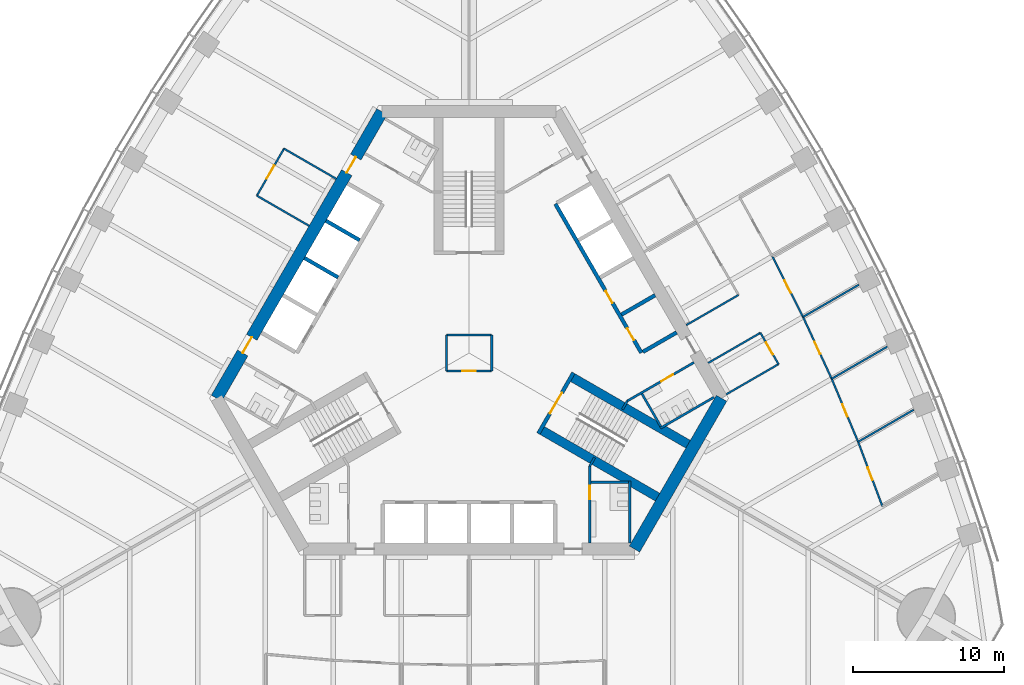
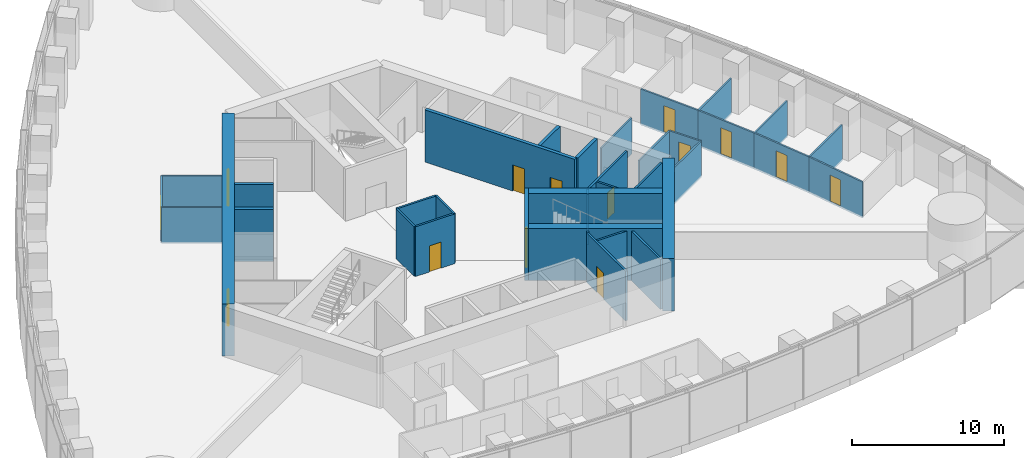
# One storey, part 13 of 19: 36 walls, 14 doors, 14 openings.
"""IFC4 building model written with IfcOpenShell, lengths in metres."""

from ifc_helpers import new_model, si_unit, direction, frame, frame_2d, origin, place, context, subcontext, project, spatial, rectangle, extrude, material, layer, layer_set, type_object, element, fill, save


model = new_model("IFC4")

# Units and contexts
model_context = context("Model", 3, precision=1e-05, world=origin(), true_north=direction((0.0, 1.0)))
body_context = subcontext(model_context, "Body", "Model", "MODEL_VIEW")
ifc_project = project(units=[si_unit("LENGTHUNIT", "METRE"), si_unit("AREAUNIT", "SQUARE_METRE"), si_unit("VOLUMEUNIT", "CUBIC_METRE"), si_unit("PLANEANGLEUNIT", "RADIAN"), si_unit("MASSUNIT", "GRAM", prefix="KILO")], contexts=[model_context])

# Site, building, storey
site_placement = place(None, origin())
site = spatial("IfcSite", under=ifc_project, at=site_placement, CompositionType="ELEMENT")
building_placement = place(site_placement, origin())
building = spatial("IfcBuilding", under=site, at=building_placement, Name="Trefoil Bronze Tower", CompositionType="ELEMENT")
storey_placement = place(building_placement, frame((0.0, 0.0, 124.10009765625)))
storey = spatial("IfcBuildingStorey", under=building, at=storey_placement, Name="L28", CompositionType="ELEMENT", Elevation=124.10009765625)

# Wall
ifc_material_1 = material(Name="Concrete B80", Category="concrete")
ifc_layer_1 = layer(ifc_material_1, 0.800048828125)
ifc_layer_set_1 = layer_set([ifc_layer_1], Name="Core wall 800")
wall_type_1 = type_object("IfcWallType", Name="Core wall 800", PredefinedType="SHEAR", material=ifc_layer_set_1)
wall_1_placement = place(storey_placement, frame((10.9697265625, -13.0, 0.0), z_axis=(0.0, 0.0, 1.0), x_axis=(0.499995765644, 0.866027848477, 0.0)))
element("IfcWall", 1, at=wall_1_placement, inside=storey, type_object=wall_type_1, Name="Core short wall 1 L28", PredefinedType="SHEAR", context=body_context, shape_type="SweptSolid", body=[
    extrude(rectangle(XDim=11.546875, YDim=0.800048828125, at=frame_2d((5.7734375, 0.0))), origin(), (0.0, 0.0, 1.0), 4.199951171875),
])

# Wall, openings, doors
wall_2_placement = place(storey_placement, frame((-5.7734375, 16.0, 0.0), z_axis=(0.0, 0.0, 1.0), x_axis=(-0.500002442456, -0.866023993627, 0.0)))
wall_2 = element("IfcWall", 2, at=wall_2_placement, inside=storey, type_object=wall_type_1, Name="Core long wall 3 L28", PredefinedType="SHEAR", context=body_context, shape_type="SweptSolid", body=[
    extrude(rectangle(XDim=21.939453125, YDim=0.800048828125, at=frame_2d((10.9697265625, 0.0))), origin(), (0.0, 0.0, 1.0), 4.199951171875),
])
opening_1_placement = place(wall_2_placement, frame((17.269775390625, 0.0, 0.0)))
opening_1 = element("IfcOpeningElement", 3, at=opening_1_placement, cuts=wall_2, Name="Opening D2", PredefinedType="OPENING", context=body_context, shape_type="SweptSolid", body=[
    extrude(rectangle(XDim=1.199951171875, YDim=2.10009765625, at=frame_2d((0.60009765625, 1.050048828125))), frame((0.0, 0.409912109375, 0.0), z_axis=(0.0, -1.0, 0.0), x_axis=(1.0, 0.0, 0.0)), (0.0, 0.0, 1.0), 0.820068359375),
])
opening_2_placement = place(wall_2_placement, frame((3.4697265625, 0.0, 0.0)))
opening_2 = element("IfcOpeningElement", 4, at=opening_2_placement, cuts=wall_2, Name="Opening D2", PredefinedType="OPENING", context=body_context, shape_type="SweptSolid", body=[
    extrude(rectangle(XDim=1.199951171875, YDim=2.10009765625, at=frame_2d((0.60009765625, 1.050048828125))), frame((0.0, 0.409912109375, 0.0), z_axis=(0.0, -1.0, 0.0), x_axis=(1.0, 0.0, 0.0)), (0.0, 0.0, 1.0), 0.820068359375),
])
ifc_material_2 = material(Name="Steel door", Category="steel")
door_type_1 = type_object("IfcDoorType", Name="Lobby door 1200", OperationType="SINGLE_SWING_RIGHT", PredefinedType="DOOR", material=ifc_material_2)
door_1_placement = place(opening_1_placement, origin())
door_1 = element("IfcDoor", 5, at=door_1_placement, inside=storey, type_object=door_type_1, Name="Lobby door F3+ L28", OperationType="SINGLE_SWING_RIGHT", OverallHeight=2.10009765625, OverallWidth=1.199951171875, PredefinedType="DOOR", context=body_context, shape_type="SweptSolid", body=[
    extrude(rectangle(XDim=1.199951171875, YDim=2.10009765625, at=frame_2d((0.60009765625, 1.050048828125))), frame((0.0, 0.02490234375, 0.0), z_axis=(0.0, -1.0, 0.0), x_axis=(1.0, 0.0, 0.0)), (0.0, 0.0, 1.0), 0.050048828125),
])
fill(opening_1, door_1)
door_2_placement = place(opening_2_placement, origin())
door_2 = element("IfcDoor", 6, at=door_2_placement, inside=storey, type_object=door_type_1, Name="Lobby door F3- L28", OperationType="SINGLE_SWING_LEFT", OverallHeight=2.10009765625, OverallWidth=1.199951171875, PredefinedType="DOOR", context=body_context, shape_type="SweptSolid", body=[
    extrude(rectangle(XDim=1.199951171875, YDim=2.10009765625, at=frame_2d((0.60009765625, 1.050048828125))), frame((0.0, 0.02490234375, 0.0), z_axis=(0.0, -1.0, 0.0), x_axis=(1.0, 0.0, 0.0)), (0.0, 0.0, 1.0), 0.050048828125),
])
fill(opening_2, door_2)

# Wall, opening, door
ifc_material_3 = material(Name="Glazed partition", Category="glass")
ifc_layer_2 = layer(ifc_material_3, 0.1201171875)
ifc_layer_set_2 = layer_set([ifc_layer_2], Name="Glazed partition 120")
wall_type_2 = type_object("IfcWallType", Name="Glazed partition 120", PredefinedType="PARTITIONING", material=ifc_layer_set_2)
wall_3_placement = place(storey_placement, frame((20.518798828125, -0.73974609375, 0.0), z_axis=(0.0, 0.0, 1.0), x_axis=(-0.499957262057, 0.866050077142, 0.0)))
wall_3 = element("IfcWall", 7, at=wall_3_placement, inside=storey, type_object=wall_type_2, Name="Partition F2 L28", PredefinedType="PARTITIONING", context=body_context, shape_type="SweptSolid", body=[
    extrude(rectangle(XDim=2.400146484375, YDim=0.1201171875, at=frame_2d((1.2001953125, 0.0))), origin(), (0.0, 0.0, 1.0), 2.89990234375),
])
opening_3_placement = place(wall_3_placement, frame((0.75, 0.0, 0.14990234375)))
opening_3 = element("IfcOpeningElement", 8, at=opening_3_placement, cuts=wall_3, Name="Opening D8", PredefinedType="OPENING", context=body_context, shape_type="SweptSolid", body=[
    extrude(rectangle(XDim=0.89990234375, YDim=2.10009765625, at=frame_2d((0.449951171875, 1.050048828125))), frame((0.0, 0.070068359375, 0.0), z_axis=(0.0, -1.0, 0.0), x_axis=(1.0, 0.0, 0.0)), (0.0, 0.0, 1.0), 0.14013671875),
])
ifc_material_4 = material(Name="Timber door", Category="wood")
door_type_2 = type_object("IfcDoorType", Name="Office door 900", OperationType="SINGLE_SWING_LEFT", PredefinedType="DOOR", material=ifc_material_4)
door_3_placement = place(opening_3_placement, origin())
door_3 = element("IfcDoor", 9, at=door_3_placement, inside=storey, type_object=door_type_2, Name="Comms room door F2 L28", OperationType="SINGLE_SWING_RIGHT", OverallHeight=2.10009765625, OverallWidth=0.89990234375, PredefinedType="DOOR", context=body_context, shape_type="SweptSolid", body=[
    extrude(rectangle(XDim=0.89990234375, YDim=2.10009765625, at=frame_2d((0.449951171875, 1.050048828125))), frame((0.0, 0.02490234375, 0.0), z_axis=(0.0, -1.0, 0.0), x_axis=(1.0, 0.0, 0.0)), (0.0, 0.0, 1.0), 0.050048828125),
])
fill(opening_3, door_3)

# Walls
for number, where, z_axis, x_axis, name in (
    (10, (17.0546875, -2.73974609375, 0.0), (0.0, 0.0, 1.0), (0.866026010844, 0.49999894854, 0.0), "Partition F2 L28"),
    (11, (14.40478515625, 1.850341796875, 0.0), (0.0, 0.0, 1.0), (0.866026010844, 0.49999894854, 0.0), "Partition F2 L28"),
    (12, (15.854736328125, -0.6611328125, 0.0), (0.0, 0.0, 1.0), (0.866026010844, 0.49999894854, 0.0), "Partition F2 L28"),
):
    element("IfcWall", number, at=place(storey_placement, frame(where, z_axis=z_axis, x_axis=x_axis)), inside=storey, type_object=wall_type_2, Name=name, PredefinedType="PARTITIONING", context=body_context, shape_type="SweptSolid", body=[
        extrude(rectangle(XDim=4.0, YDim=0.1201171875, at=frame_2d((2.0, 0.0))), origin(), (0.0, 0.0, 1.0), 2.89990234375),
    ])

# Wall, opening, door
wall_4_placement = place(storey_placement, frame((24.042724609375, -1.70751953125, 0.0), z_axis=(0.0, 0.0, 1.0), x_axis=(-0.41992827805, 0.90755729367, 0.0)))
wall_4 = element("IfcWall", 13, at=wall_4_placement, inside=storey, type_object=wall_type_2, Name="Partition F2 L28", PredefinedType="PARTITIONING", context=body_context, shape_type="SweptSolid", body=[
    extrude(rectangle(XDim=4.5185546875, YDim=0.1201171875, at=frame_2d((2.25927734375, 0.0))), origin(), (0.0, 0.0, 1.0), 2.89990234375),
])
opening_4_placement = place(wall_4_placement, frame((1.800048828125, 0.0, 0.14990234375)))
opening_4 = element("IfcOpeningElement", 14, at=opening_4_placement, cuts=wall_4, Name="Opening D8", PredefinedType="OPENING", context=body_context, shape_type="SweptSolid", body=[
    extrude(rectangle(XDim=0.89990234375, YDim=2.10009765625, at=frame_2d((0.449951171875, 1.050048828125))), frame((0.0, 0.070068359375, 0.0), z_axis=(0.0, -1.0, 0.0), x_axis=(1.0, 0.0, 0.0)), (0.0, 0.0, 1.0), 0.14013671875),
])
door_4_placement = place(opening_4_placement, frame((0.89990234375, 0.0, 0.0), z_axis=(0.0, 0.0, 1.0), x_axis=(-1.0, 0.0, 0.0)))
door_4 = element("IfcDoor", 15, at=door_4_placement, inside=storey, type_object=door_type_2, Name="Office door F2 L28", OperationType="SINGLE_SWING_RIGHT", OverallHeight=2.10009765625, OverallWidth=0.89990234375, PredefinedType="DOOR", context=body_context, shape_type="SweptSolid", body=[
    extrude(rectangle(XDim=0.89990234375, YDim=2.10009765625, at=frame_2d((0.449951171875, 1.050048828125))), frame((0.0, 0.02490234375, 0.0), z_axis=(0.0, -1.0, 0.0), x_axis=(1.0, 0.0, 0.0)), (0.0, 0.0, 1.0), 0.050048828125),
])
fill(opening_4, door_4)

wall_5_placement = place(storey_placement, frame((25.797119140625, -5.890625, 0.0), z_axis=(0.0, 0.0, 1.0), x_axis=(-0.386762112496, 0.922179520667, 0.0)))
wall_5 = element("IfcWall", 16, at=wall_5_placement, inside=storey, type_object=wall_type_2, Name="Partition F2 L28", PredefinedType="PARTITIONING", context=body_context, shape_type="SweptSolid", body=[
    extrude(rectangle(XDim=4.5361328125, YDim=0.1201171875, at=frame_2d((2.26806640625, 0.0))), origin(), (0.0, 0.0, 1.0), 2.89990234375),
])
opening_5_placement = place(wall_5_placement, frame((1.800048828125, 0.0, 0.14990234375)))
opening_5 = element("IfcOpeningElement", 17, at=opening_5_placement, cuts=wall_5, Name="Opening D8", PredefinedType="OPENING", context=body_context, shape_type="SweptSolid", body=[
    extrude(rectangle(XDim=0.89990234375, YDim=2.10009765625, at=frame_2d((0.449951171875, 1.050048828125))), frame((0.0, 0.070068359375, 0.0), z_axis=(0.0, -1.0, 0.0), x_axis=(1.0, 0.0, 0.0)), (0.0, 0.0, 1.0), 0.14013671875),
])
door_5_placement = place(opening_5_placement, frame((0.89990234375, 0.0, 0.0), z_axis=(0.0, 0.0, 1.0), x_axis=(-1.0, 0.0, 0.0)))
door_5 = element("IfcDoor", 18, at=door_5_placement, inside=storey, type_object=door_type_2, Name="Office door F2 L28", OperationType="SINGLE_SWING_RIGHT", OverallHeight=2.10009765625, OverallWidth=0.89990234375, PredefinedType="DOOR", context=body_context, shape_type="SweptSolid", body=[
    extrude(rectangle(XDim=0.89990234375, YDim=2.10009765625, at=frame_2d((0.449951171875, 1.050048828125))), frame((0.0, 0.02490234375, 0.0), z_axis=(0.0, -1.0, 0.0), x_axis=(1.0, 0.0, 0.0)), (0.0, 0.0, 1.0), 0.050048828125),
])
fill(opening_5, door_5)

wall_6_placement = place(storey_placement, frame((27.406494140625, -10.15771484375, 0.0), z_axis=(0.0, 0.0, 1.0), x_axis=(-0.352894560512, 0.93566309597, 0.0)))
wall_6 = element("IfcWall", 19, at=wall_6_placement, inside=storey, type_object=wall_type_2, Name="Partition F2 L28", PredefinedType="PARTITIONING", context=body_context, shape_type="SweptSolid", body=[
    extrude(rectangle(XDim=4.560546875, YDim=0.1201171875, at=frame_2d((2.2802734375, 0.0))), origin(), (0.0, 0.0, 1.0), 2.89990234375),
])
opening_6_placement = place(wall_6_placement, frame((1.85009765625, 0.0, 0.14990234375)))
opening_6 = element("IfcOpeningElement", 20, at=opening_6_placement, cuts=wall_6, Name="Opening D8", PredefinedType="OPENING", context=body_context, shape_type="SweptSolid", body=[
    extrude(rectangle(XDim=0.89990234375, YDim=2.10009765625, at=frame_2d((0.449951171875, 1.050048828125))), frame((0.0, 0.070068359375, 0.0), z_axis=(0.0, -1.0, 0.0), x_axis=(1.0, 0.0, 0.0)), (0.0, 0.0, 1.0), 0.14013671875),
])
door_6_placement = place(opening_6_placement, frame((0.89990234375, 0.0, 0.0), z_axis=(0.0, 0.0, 1.0), x_axis=(-1.0, 0.0, 0.0)))
door_6 = element("IfcDoor", 21, at=door_6_placement, inside=storey, type_object=door_type_2, Name="Office door F2 L28", OperationType="SINGLE_SWING_LEFT", OverallHeight=2.10009765625, OverallWidth=0.89990234375, PredefinedType="DOOR", context=body_context, shape_type="SweptSolid", body=[
    extrude(rectangle(XDim=0.89990234375, YDim=2.10009765625, at=frame_2d((0.449951171875, 1.050048828125))), frame((0.0, 0.02490234375, 0.0), z_axis=(0.0, -1.0, 0.0), x_axis=(1.0, 0.0, 0.0)), (0.0, 0.0, 1.0), 0.050048828125),
])
fill(opening_6, door_6)

wall_7_placement = place(storey_placement, frame((22.145263671875, 2.393310546875, 0.0), z_axis=(0.0, 0.0, 1.0), x_axis=(-0.452471679136, 0.891778772779, 0.0)))
wall_7 = element("IfcWall", 22, at=wall_7_placement, inside=storey, type_object=wall_type_2, Name="Partition F2 L28", PredefinedType="PARTITIONING", context=body_context, shape_type="SweptSolid", body=[
    extrude(rectangle(XDim=4.506591796875, YDim=0.1201171875, at=frame_2d((2.25341796875, 0.0))), origin(), (0.0, 0.0, 1.0), 2.89990234375),
])
opening_7_placement = place(wall_7_placement, frame((1.800048828125, 0.0, 0.14990234375)))
opening_7 = element("IfcOpeningElement", 23, at=opening_7_placement, cuts=wall_7, Name="Opening D8", PredefinedType="OPENING", context=body_context, shape_type="SweptSolid", body=[
    extrude(rectangle(XDim=0.89990234375, YDim=2.10009765625, at=frame_2d((0.449951171875, 1.050048828125))), frame((0.0, 0.070068359375, 0.0), z_axis=(0.0, -1.0, 0.0), x_axis=(1.0, 0.0, 0.0)), (0.0, 0.0, 1.0), 0.14013671875),
])
door_7_placement = place(opening_7_placement, frame((0.89990234375, 0.0, 0.0), z_axis=(0.0, 0.0, 1.0), x_axis=(-1.0, 0.0, 0.0)))
door_7 = element("IfcDoor", 24, at=door_7_placement, inside=storey, type_object=door_type_2, Name="Office door F2 L28", OperationType="SINGLE_SWING_RIGHT", OverallHeight=2.10009765625, OverallWidth=0.89990234375, PredefinedType="DOOR", context=body_context, shape_type="SweptSolid", body=[
    extrude(rectangle(XDim=0.89990234375, YDim=2.10009765625, at=frame_2d((0.449951171875, 1.050048828125))), frame((0.0, 0.02490234375, 0.0), z_axis=(0.0, -1.0, 0.0), x_axis=(1.0, 0.0, 0.0)), (0.0, 0.0, 1.0), 0.050048828125),
])
fill(opening_7, door_7)

# Walls
wall_8_placement = place(storey_placement, frame((24.042724609375, -1.70751953125, 0.0), z_axis=(0.0, 0.0, 1.0), x_axis=(0.866006218662, 0.500033228135, 0.0)))
element("IfcWall", 25, at=wall_8_placement, inside=storey, type_object=wall_type_2, Name="Partition F2 L28", PredefinedType="PARTITIONING", context=body_context, shape_type="SweptSolid", body=[
    extrude(rectangle(XDim=4.261474609375, YDim=0.1201171875, at=frame_2d((2.130859375, 0.0))), origin(), (0.0, 0.0, 1.0), 2.89990234375),
])
wall_9_placement = place(storey_placement, frame((25.797119140625, -5.890625, 0.0), z_axis=(0.0, 0.0, 1.0), x_axis=(0.866020257797, 0.500008913007, 0.0)))
element("IfcWall", 26, at=wall_9_placement, inside=storey, type_object=wall_type_2, Name="Partition F2 L28", PredefinedType="PARTITIONING", context=body_context, shape_type="SweptSolid", body=[
    extrude(rectangle(XDim=4.25439453125, YDim=0.1201171875, at=frame_2d((2.127197265625, 0.0))), origin(), (0.0, 0.0, 1.0), 2.89990234375),
])
wall_10_placement = place(storey_placement, frame((22.145263671875, 2.393310546875, 0.0), z_axis=(0.0, 0.0, 1.0), x_axis=(0.86602643523, 0.49999821348, 0.0)))
element("IfcWall", 27, at=wall_10_placement, inside=storey, type_object=wall_type_2, Name="Partition F2 L28", PredefinedType="PARTITIONING", context=body_context, shape_type="SweptSolid", body=[
    extrude(rectangle(XDim=4.26611328125, YDim=0.1201171875, at=frame_2d((2.133056640625, 0.0))), origin(), (0.0, 0.0, 1.0), 2.89990234375),
])

# Wall, opening, door
wall_11_placement = place(storey_placement, frame((-12.268798828125, 13.5498046875, 0.0), z_axis=(0.0, 0.0, 1.0), x_axis=(-0.500012057535, -0.866018442252, 0.0)))
wall_11 = element("IfcWall", 28, at=wall_11_placement, inside=storey, type_object=wall_type_2, Name="Partition F3 L28", PredefinedType="PARTITIONING", context=body_context, shape_type="SweptSolid", body=[
    extrude(rectangle(XDim=3.60009765625, YDim=0.1201171875, at=frame_2d((1.800048828125, 0.0))), origin(), (0.0, 0.0, 1.0), 2.89990234375),
])
opening_8_placement = place(wall_11_placement, frame((1.300048828125, 0.0, 0.14990234375)))
opening_8 = element("IfcOpeningElement", 29, at=opening_8_placement, cuts=wall_11, Name="Opening D9", PredefinedType="OPENING", context=body_context, shape_type="SweptSolid", body=[
    extrude(rectangle(XDim=1.0, YDim=2.10009765625, at=frame_2d((0.5, 1.050048828125))), frame((0.0, 0.070068359375, 0.0), z_axis=(0.0, -1.0, 0.0), x_axis=(1.0, 0.0, 0.0)), (0.0, 0.0, 1.0), 0.14013671875),
])
ifc_material_5 = material(Name="Glazed timber door", Category="wood")
door_type_3 = type_object("IfcDoorType", Name="Meeting room door 1000", OperationType="SINGLE_SWING_LEFT", PredefinedType="DOOR", material=ifc_material_5)
door_8_placement = place(opening_8_placement, origin())
door_8 = element("IfcDoor", 30, at=door_8_placement, inside=storey, type_object=door_type_3, Name="Meeting room door F3 L28", OperationType="SINGLE_SWING_RIGHT", OverallHeight=2.10009765625, OverallWidth=1.0, PredefinedType="DOOR", context=body_context, shape_type="SweptSolid", body=[
    extrude(rectangle(XDim=1.0, YDim=2.10009765625, at=frame_2d((0.5, 1.050048828125))), frame((0.0, 0.02490234375, 0.0), z_axis=(0.0, -1.0, 0.0), x_axis=(1.0, 0.0, 0.0)), (0.0, 0.0, 1.0), 0.050048828125),
])
fill(opening_8, door_8)

# Walls
for number, where, z_axis, x_axis, name in (
    (31, (-10.604736328125, 8.43212890625, 0.0), (0.0, 0.0, 1.0), (-0.866026010844, 0.49999894854, 0.0), "Partition F3 L28"),
    (32, (-8.8046875, 11.5498046875, 0.0), (0.0, 0.0, 1.0), (-0.866026010844, 0.49999894854, 0.0), "Partition F3 L28"),
):
    element("IfcWall", number, at=place(storey_placement, frame(where, z_axis=z_axis, x_axis=x_axis)), inside=storey, type_object=wall_type_2, Name=name, PredefinedType="PARTITIONING", context=body_context, shape_type="SweptSolid", body=[
        extrude(rectangle(XDim=4.0, YDim=0.1201171875, at=frame_2d((2.0, 0.0))), origin(), (0.0, 0.0, 1.0), 2.89990234375),
    ])

# Wall, opening, door
ifc_material_6 = material(Name="Gypsum board on steel studs", Category="steel")
ifc_layer_3 = layer(ifc_material_6, 0.14990234375)
ifc_layer_set_3 = layer_set([ifc_layer_3], Name="Partition 150")
wall_type_3 = type_object("IfcWallType", Name="Partition 150", PredefinedType="PARTITIONING", material=ifc_layer_set_3)
wall_12_placement = place(storey_placement, frame((8.0, -7.5, 0.0), z_axis=(0.0, 0.0, 1.0), x_axis=(0.0, -1.0, 0.0)))
wall_12 = element("IfcWall", 33, at=wall_12_placement, inside=storey, type_object=wall_type_3, Name="Passage wall F1+ L28", PredefinedType="PARTITIONING", context=body_context, shape_type="SweptSolid", body=[
    extrude(rectangle(XDim=5.10009765625, YDim=0.14990234375, at=frame_2d((2.550048828125, 0.0))), origin(), (0.0, 0.0, 1.0), 4.0),
])
opening_9_placement = place(wall_12_placement, frame((1.300048828125, 0.0, 0.0)))
opening_9 = element("IfcOpeningElement", 34, at=opening_9_placement, cuts=wall_12, Name="Opening D3", PredefinedType="OPENING", context=body_context, shape_type="SweptSolid", body=[
    extrude(rectangle(XDim=0.89990234375, YDim=2.10009765625, at=frame_2d((0.449951171875, 1.050048828125))), frame((0.0, 0.0849609375, 0.0), z_axis=(0.0, -1.0, 0.0), x_axis=(1.0, 0.0, 0.0)), (0.0, 0.0, 1.0), 0.169921875),
])
ifc_material_7 = material(Name="Timber door", Category="wood")
door_type_4 = type_object("IfcDoorType", Name="WC door 900", OperationType="SINGLE_SWING_LEFT", PredefinedType="DOOR", material=ifc_material_7)
door_9_placement = place(opening_9_placement, origin())
door_9 = element("IfcDoor", 35, at=door_9_placement, inside=storey, type_object=door_type_4, Name="WC (men) door L28", OperationType="SINGLE_SWING_LEFT", OverallHeight=2.10009765625, OverallWidth=0.89990234375, PredefinedType="DOOR", context=body_context, shape_type="SweptSolid", body=[
    extrude(rectangle(XDim=0.89990234375, YDim=2.10009765625, at=frame_2d((0.449951171875, 1.050048828125))), frame((0.0, 0.02490234375, 0.0), z_axis=(0.0, -1.0, 0.0), x_axis=(1.0, 0.0, 0.0)), (0.0, 0.0, 1.0), 0.050048828125),
])
fill(opening_9, door_9)

wall_13_placement = place(storey_placement, frame((10.4951171875, -3.17822265625, 0.0), z_axis=(0.0, 0.0, 1.0), x_axis=(0.86602216432, 0.500005610874, 0.0)))
wall_13 = element("IfcWall", 36, at=wall_13_placement, inside=storey, type_object=wall_type_3, Name="Passage wall F2- L28", PredefinedType="PARTITIONING", context=body_context, shape_type="SweptSolid", body=[
    extrude(rectangle(XDim=5.10009765625, YDim=0.14990234375, at=frame_2d((2.550048828125, 0.0))), origin(), (0.0, 0.0, 1.0), 4.0),
])
opening_10_placement = place(wall_13_placement, frame((2.60009765625, 0.0, 0.0)))
opening_10 = element("IfcOpeningElement", 37, at=opening_10_placement, cuts=wall_13, Name="Opening D3", PredefinedType="OPENING", context=body_context, shape_type="SweptSolid", body=[
    extrude(rectangle(XDim=0.89990234375, YDim=2.10009765625, at=frame_2d((0.449951171875, 1.050048828125))), frame((0.0, 0.0849609375, 0.0), z_axis=(0.0, -1.0, 0.0), x_axis=(1.0, 0.0, 0.0)), (0.0, 0.0, 1.0), 0.169921875),
])
door_10_placement = place(opening_10_placement, frame((0.89990234375, 0.0, 0.0), z_axis=(0.0, 0.0, 1.0), x_axis=(-1.0, 0.0, 0.0)))
door_10 = element("IfcDoor", 38, at=door_10_placement, inside=storey, type_object=door_type_4, Name="WC (women) door L28", OperationType="SINGLE_SWING_RIGHT", OverallHeight=2.10009765625, OverallWidth=0.89990234375, PredefinedType="DOOR", context=body_context, shape_type="SweptSolid", body=[
    extrude(rectangle(XDim=0.89990234375, YDim=2.10009765625, at=frame_2d((0.449951171875, 1.050048828125))), frame((0.0, 0.02490234375, 0.0), z_axis=(0.0, -1.0, 0.0), x_axis=(1.0, 0.0, 0.0)), (0.0, 0.0, 1.0), 0.050048828125),
])
fill(opening_10, door_10)

# Walls
for number, where, z_axis, x_axis, name in (
    (39, (8.0, -7.5, 0.0), (0.0, 0.0, 1.0), (0.499842556608, 0.866116284689, 0.0), "WC wall ST1-1 L28"),
    (40, (10.4951171875, -3.17822265625, 0.0), (0.0, 0.0, 1.0), (-0.499842556608, -0.866116284689, 0.0), "WC wall ST1+1 L28"),
):
    element("IfcWall", number, at=place(storey_placement, frame(where, z_axis=z_axis, x_axis=x_axis)), inside=storey, type_object=wall_type_3, Name=name, PredefinedType="PARTITIONING", context=body_context, shape_type="SweptSolid", body=[
        extrude(rectangle(XDim=0.645263671875, YDim=0.14990234375, at=frame_2d((0.32275390625, 0.0))), origin(), (0.0, 0.0, 1.0), 4.0),
    ])
wall_14_placement = place(storey_placement, frame((10.659912109375, -8.5, 0.0), z_axis=(0.0, 0.0, 1.0), x_axis=(0.0, -1.0, 0.0)))
element("IfcWall", 41, at=wall_14_placement, inside=storey, type_object=wall_type_3, Name="WC partition WC (men) L28", PredefinedType="PARTITIONING", context=body_context, shape_type="SweptSolid", body=[
    extrude(rectangle(XDim=4.10009765625, YDim=0.14990234375, at=frame_2d((2.050048828125, 0.0))), origin(), (0.0, 0.0, 1.0), 4.0),
])
wall_15_placement = place(storey_placement, frame((8.074951171875, -8.574951171875, 0.0), z_axis=(0.0, 0.0, 1.0), x_axis=(1.0, 0.0, 0.0)))
element("IfcWall", 42, at=wall_15_placement, inside=storey, type_object=wall_type_3, Name="WC partition WC (men) L28", PredefinedType="PARTITIONING", context=body_context, shape_type="SweptSolid", body=[
    extrude(rectangle(XDim=2.510009765625, YDim=0.14990234375, at=frame_2d((1.2548828125, 0.0))), origin(), (0.0, 0.0, 1.0), 4.0),
])
wall_16_placement = place(storey_placement, frame((12.691162109375, -4.98193359375, 0.0), z_axis=(0.0, 0.0, 1.0), x_axis=(0.8660249478, 0.500000789788, 0.0)))
element("IfcWall", 43, at=wall_16_placement, inside=storey, type_object=wall_type_3, Name="WC partition WC (women) L28", PredefinedType="PARTITIONING", context=body_context, shape_type="SweptSolid", body=[
    extrude(rectangle(XDim=4.10009765625, YDim=0.14990234375, at=frame_2d((2.050048828125, 0.0))), origin(), (0.0, 0.0, 1.0), 4.0),
])
wall_17_placement = place(storey_placement, frame((11.463623046875, -2.70556640625, 0.0), z_axis=(0.0, 0.0, 1.0), x_axis=(0.50001992892, -0.866013897511, 0.0)))
element("IfcWall", 44, at=wall_17_placement, inside=storey, type_object=wall_type_3, Name="WC partition WC (women) L28", PredefinedType="PARTITIONING", context=body_context, shape_type="SweptSolid", body=[
    extrude(rectangle(XDim=2.51025390625, YDim=0.14990234375, at=frame_2d((1.255126953125, 0.0))), origin(), (0.0, 0.0, 1.0), 4.0),
])

# Wall, opening, door
ifc_material_8 = material(Name="Gypsum board on steel studs", Category="steel")
ifc_layer_4 = layer(ifc_material_8, 0.14990234375)
ifc_layer_set_4 = layer_set([ifc_layer_4], Name="Riser wall 150")
wall_type_4 = type_object("IfcWallType", Name="Riser wall 150", PredefinedType="PARTITIONING", material=ifc_layer_set_4)
wall_18_placement = place(storey_placement, frame((-1.5, -1.199951171875, 0.0), z_axis=(0.0, 0.0, 1.0), x_axis=(1.0, 0.0, 0.0)))
wall_18 = element("IfcWall", 45, at=wall_18_placement, inside=storey, type_object=wall_type_4, Name="Riser wall L28", PredefinedType="PARTITIONING", context=body_context, shape_type="SweptSolid", body=[
    extrude(rectangle(XDim=3.0, YDim=0.14990234375, at=frame_2d((1.5, 0.0))), origin(), (0.0, 0.0, 1.0), 4.0),
])
opening_11_placement = place(wall_18_placement, frame((1.050048828125, 0.0, 0.0)))
opening_11 = element("IfcOpeningElement", 46, at=opening_11_placement, cuts=wall_18, Name="Opening D4", PredefinedType="OPENING", context=body_context, shape_type="SweptSolid", body=[
    extrude(rectangle(XDim=0.89990234375, YDim=2.10009765625, at=frame_2d((0.449951171875, 1.050048828125))), frame((0.0, 0.0849609375, 0.0), z_axis=(0.0, -1.0, 0.0), x_axis=(1.0, 0.0, 0.0)), (0.0, 0.0, 1.0), 0.169921875),
])
ifc_material_9 = material(Name="Steel door", Category="steel")
door_type_5 = type_object("IfcDoorType", Name="Riser door 900", OperationType="SINGLE_SWING_LEFT", PredefinedType="DOOR", material=ifc_material_9)
door_11_placement = place(opening_11_placement, frame((0.89990234375, 0.0, 0.0), z_axis=(0.0, 0.0, 1.0), x_axis=(-1.0, 0.0, 0.0)))
door_11 = element("IfcDoor", 47, at=door_11_placement, inside=storey, type_object=door_type_5, Name="Riser door L28", OperationType="SINGLE_SWING_LEFT", OverallHeight=2.10009765625, OverallWidth=0.89990234375, PredefinedType="DOOR", context=body_context, shape_type="SweptSolid", body=[
    extrude(rectangle(XDim=0.89990234375, YDim=2.10009765625, at=frame_2d((0.449951171875, 1.050048828125))), frame((0.0, 0.02490234375, 0.0), z_axis=(0.0, -1.0, 0.0), x_axis=(1.0, 0.0, 0.0)), (0.0, 0.0, 1.0), 0.050048828125),
])
fill(opening_11, door_11)

# Walls
wall_19_placement = place(storey_placement, frame((1.5, -1.199951171875, 0.0), z_axis=(0.0, 0.0, 1.0), x_axis=(0.0, 1.0, 0.0)))
element("IfcWall", 48, at=wall_19_placement, inside=storey, type_object=wall_type_4, Name="Riser wall L28", PredefinedType="PARTITIONING", context=body_context, shape_type="SweptSolid", body=[
    extrude(rectangle(XDim=2.39990234375, YDim=0.14990234375, at=frame_2d((1.199951171875, 0.0))), origin(), (0.0, 0.0, 1.0), 4.0),
])
wall_20_placement = place(storey_placement, frame((1.5, 1.199951171875, 0.0), z_axis=(0.0, 0.0, 1.0), x_axis=(-1.0, 0.0, 0.0)))
element("IfcWall", 49, at=wall_20_placement, inside=storey, type_object=wall_type_4, Name="Riser wall L28", PredefinedType="PARTITIONING", context=body_context, shape_type="SweptSolid", body=[
    extrude(rectangle(XDim=3.0, YDim=0.14990234375, at=frame_2d((1.5, 0.0))), origin(), (0.0, 0.0, 1.0), 4.0),
])
wall_21_placement = place(storey_placement, frame((-1.5, 1.199951171875, 0.0), z_axis=(0.0, 0.0, 1.0), x_axis=(0.0, -1.0, 0.0)))
element("IfcWall", 50, at=wall_21_placement, inside=storey, type_object=wall_type_4, Name="Riser wall L28", PredefinedType="PARTITIONING", context=body_context, shape_type="SweptSolid", body=[
    extrude(rectangle(XDim=2.39990234375, YDim=0.14990234375, at=frame_2d((1.199951171875, 0.0))), origin(), (0.0, 0.0, 1.0), 4.0),
])

# Wall, openings, doors
ifc_material_10 = material(Name="Concrete B80", Category="concrete")
ifc_layer_5 = layer(ifc_material_10, 0.25)
ifc_layer_set_5 = layer_set([ifc_layer_5], Name="Shaft wall 250")
wall_type_5 = type_object("IfcWallType", Name="Shaft wall 250", PredefinedType="SHEAR", material=ifc_layer_set_5)
wall_22_placement = place(storey_placement, frame((11.423583984375, 0.013671875, 0.0), z_axis=(0.0, 0.0, 1.0), x_axis=(-0.500001763848, 0.866024385424, 0.0)))
wall_22 = element("IfcWall", 51, at=wall_22_placement, inside=storey, type_object=wall_type_5, Name="Lift shaft front wall B L28", PredefinedType="SHEAR", context=body_context, shape_type="SweptSolid", body=[
    extrude(rectangle(XDim=11.39990234375, YDim=0.25, at=frame_2d((5.699951171875, 0.0))), origin(), (0.0, 0.0, 1.0), 4.199951171875),
])
opening_12_placement = place(wall_22_placement, frame((0.97509765625, 0.0, 0.0)))
opening_12 = element("IfcOpeningElement", 52, at=opening_12_placement, cuts=wall_22, Name="Opening D12", PredefinedType="OPENING", context=body_context, shape_type="SweptSolid", body=[
    extrude(rectangle(XDim=0.89990234375, YDim=2.10009765625, at=frame_2d((0.449951171875, 1.050048828125))), frame((0.0, 0.135009765625, 0.0), z_axis=(0.0, -1.0, 0.0), x_axis=(1.0, 0.0, 0.0)), (0.0, 0.0, 1.0), 0.27001953125),
])
opening_13_placement = place(wall_22_placement, frame((3.824951171875, 0.0, 0.0)))
opening_13 = element("IfcOpeningElement", 53, at=opening_13_placement, cuts=wall_22, Name="Opening D12", PredefinedType="OPENING", context=body_context, shape_type="SweptSolid", body=[
    extrude(rectangle(XDim=0.89990234375, YDim=2.10009765625, at=frame_2d((0.449951171875, 1.050048828125))), frame((0.0, 0.135009765625, 0.0), z_axis=(0.0, -1.0, 0.0), x_axis=(1.0, 0.0, 0.0)), (0.0, 0.0, 1.0), 0.27001953125),
])
ifc_material_11 = material(Name="Steel door", Category="steel")
door_type_6 = type_object("IfcDoorType", Name="Shaft room door 900", OperationType="SINGLE_SWING_LEFT", PredefinedType="DOOR", material=ifc_material_11)
door_12_placement = place(opening_12_placement, frame((0.89990234375, 0.0, 0.0), z_axis=(0.0, 0.0, 1.0), x_axis=(-1.0, 0.0, 0.0)))
door_12 = element("IfcDoor", 54, at=door_12_placement, inside=storey, type_object=door_type_6, Name="Shaft room door B1 L28", OperationType="SINGLE_SWING_LEFT", OverallHeight=2.10009765625, OverallWidth=0.89990234375, PredefinedType="DOOR", context=body_context, shape_type="SweptSolid", body=[
    extrude(rectangle(XDim=0.89990234375, YDim=2.10009765625, at=frame_2d((0.449951171875, 1.050048828125))), frame((0.0, 0.02490234375, 0.0), z_axis=(0.0, -1.0, 0.0), x_axis=(1.0, 0.0, 0.0)), (0.0, 0.0, 1.0), 0.050048828125),
])
fill(opening_12, door_12)
door_13_placement = place(opening_13_placement, frame((0.89990234375, 0.0, 0.0), z_axis=(0.0, 0.0, 1.0), x_axis=(-1.0, 0.0, 0.0)))
door_13 = element("IfcDoor", 55, at=door_13_placement, inside=storey, type_object=door_type_6, Name="Shaft room door B2 L28", OperationType="SINGLE_SWING_RIGHT", OverallHeight=2.10009765625, OverallWidth=0.89990234375, PredefinedType="DOOR", context=body_context, shape_type="SweptSolid", body=[
    extrude(rectangle(XDim=0.89990234375, YDim=2.10009765625, at=frame_2d((0.449951171875, 1.050048828125))), frame((0.0, 0.02490234375, 0.0), z_axis=(0.0, -1.0, 0.0), x_axis=(1.0, 0.0, 0.0)), (0.0, 0.0, 1.0), 0.050048828125),
])
fill(opening_13, door_13)

# Walls
for number, where, z_axis, x_axis, name in (
    (56, (11.531982421875, 0.076171875, 0.0), (0.0, 0.0, 1.0), (0.866005588531, 0.500034319456, 0.0), "Lift shaft side wall B0 L28"),
    (57, (10.10693359375, 2.54443359375, 0.0), (0.0, 0.0, 1.0), (0.866046643894, 0.499963209246, 0.0), "Lift shaft side wall B1 L28"),
    (58, (-7.2568359375, 7.480712890625, 0.0), (0.0, 0.0, 1.0), (-0.866046643894, 0.499963209246, 0.0), "Lift shaft side wall C1 L28"),
    (59, (-8.681884765625, 5.012451171875, 0.0), (0.0, 0.0, 1.0), (-0.866005588531, 0.500034319456, 0.0), "Lift shaft side wall C2 L28"),
):
    element("IfcWall", number, at=place(storey_placement, frame(where, z_axis=z_axis, x_axis=x_axis)), inside=storey, type_object=wall_type_5, Name=name, PredefinedType="SHEAR", context=body_context, shape_type="SweptSolid", body=[
        extrude(rectangle(XDim=2.574951171875, YDim=0.25, at=frame_2d((1.28759765625, 0.0))), origin(), (0.0, 0.0, 1.0), 4.199951171875),
    ])

# Wall, opening, door
wall_23_placement = place(storey_placement, frame((4.5966796875, -5.338623046875, 0.0), z_axis=(0.0, 0.0, 1.0), x_axis=(0.499984536904, 0.866034331223, 0.0)))
wall_23 = element("IfcWall", 60, at=wall_23_placement, inside=storey, type_object=wall_type_5, Name="Stair end wall ST1 L28", PredefinedType="SHEAR", context=body_context, shape_type="SweptSolid", body=[
    extrude(rectangle(XDim=4.650146484375, YDim=0.25, at=frame_2d((2.3251953125, 0.0))), origin(), (0.0, 0.0, 1.0), 4.199951171875),
])
opening_14_placement = place(wall_23_placement, frame((1.52490234375, 0.0, 0.0)))
opening_14 = element("IfcOpeningElement", 61, at=opening_14_placement, cuts=wall_23, Name="Opening D1", PredefinedType="OPENING", context=body_context, shape_type="SweptSolid", body=[
    extrude(rectangle(XDim=1.60009765625, YDim=2.10009765625, at=frame_2d((0.800048828125, 1.050048828125))), frame((0.0, 0.135009765625, 0.0), z_axis=(0.0, -1.0, 0.0), x_axis=(1.0, 0.0, 0.0)), (0.0, 0.0, 1.0), 0.27001953125),
])
ifc_material_12 = material(Name="Steel door", Category="steel")
door_type_7 = type_object("IfcDoorType", Name="Stair door 1600", OperationType="DOUBLE_DOOR_SINGLE_SWING", PredefinedType="DOOR", material=ifc_material_12)
door_14_placement = place(opening_14_placement, frame((1.60009765625, 0.0, 0.0), z_axis=(0.0, 0.0, 1.0), x_axis=(-1.0, 0.0, 0.0)))
door_14 = element("IfcDoor", 62, at=door_14_placement, inside=storey, type_object=door_type_7, Name="Stair door ST1 L28", OperationType="DOUBLE_DOOR_SINGLE_SWING", OverallHeight=2.10009765625, OverallWidth=1.60009765625, PredefinedType="DOOR", context=body_context, shape_type="SweptSolid", body=[
    extrude(rectangle(XDim=1.60009765625, YDim=2.10009765625, at=frame_2d((0.800048828125, 1.050048828125))), frame((0.0, 0.02490234375, 0.0), z_axis=(0.0, -1.0, 0.0), x_axis=(1.0, 0.0, 0.0)), (0.0, 0.0, 1.0), 0.050048828125),
])
fill(opening_14, door_14)

# Walls
ifc_material_13 = material(Name="Concrete B80", Category="concrete")
ifc_layer_6 = layer(ifc_material_13, 0.60009765625)
ifc_layer_set_6 = layer_set([ifc_layer_6], Name="Stair wall 600")
wall_type_6 = type_object("IfcWallType", Name="Stair wall 600", PredefinedType="SHEAR", material=ifc_layer_set_6)
for number, where, z_axis, x_axis, name in (
    (63, (4.638427734375, -5.01611328125, 0.0), (0.0, 0.0, 1.0), (0.866019375473, -0.500010441196, 0.0), "Stair wall ST1 L28"),
    (64, (6.663330078125, -1.5087890625, 0.0), (0.0, 0.0, 1.0), (0.866019375473, -0.500010441196, 0.0), "Stair wall ST1 L28"),
):
    element("IfcWall", number, at=place(storey_placement, frame(where, z_axis=z_axis, x_axis=x_axis)), inside=storey, type_object=wall_type_6, Name=name, PredefinedType="SHEAR", context=body_context, shape_type="SweptSolid", body=[
        extrude(rectangle(XDim=9.074951171875, YDim=0.60009765625, at=frame_2d((4.53759765625, 0.0))), origin(), (0.0, 0.0, 1.0), 4.199951171875),
    ])

save(model, "model.ifc")
